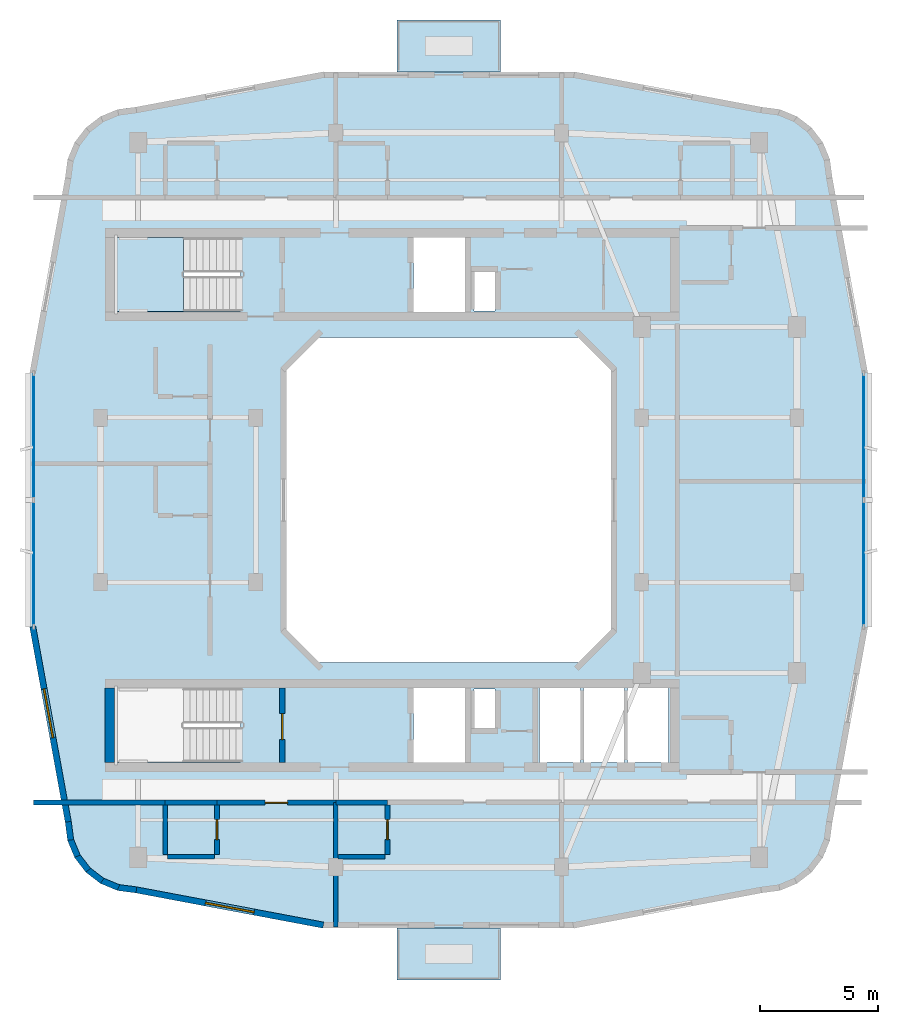
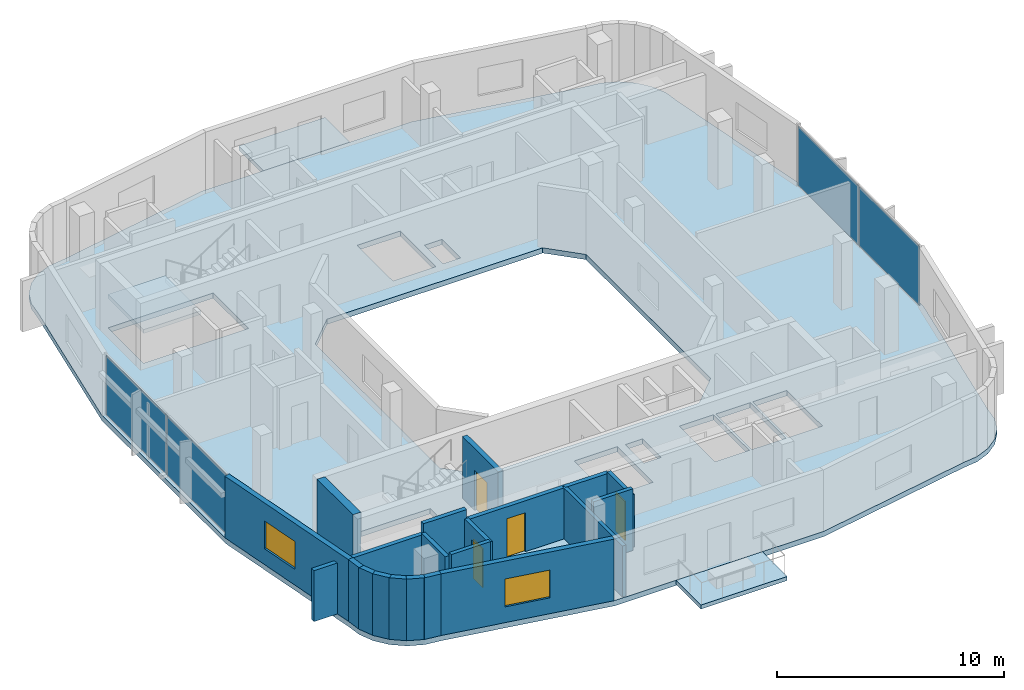
# One storey, part 3 of 10: 20 walls, 4 doors, 4 plates, 4 slabs, 2 windows, 6 openings, 3 elements without a shape of their own.
"""IFC4 building model written with IfcOpenShell, lengths in metres."""

from ifc_helpers import new_model, si_unit, derived_unit, direction, frame, frame_2d, origin, origin_2d, place, context, subcontext, project, spatial, polyline, rectangle, outline, extrude, material, layer, layer_set, type_object, element, fill, aggregate, save


model = new_model("IFC4")

# Units and contexts
model_context = context("Model", 3, precision=1e-05, world=origin(), true_north=direction((0.0, 1.0)))
body_context = subcontext(model_context, "Body", "Model", "MODEL_VIEW")
ifc_project = project(units=[si_unit("LENGTHUNIT", "METRE"), si_unit("AREAUNIT", "SQUARE_METRE"), si_unit("VOLUMEUNIT", "CUBIC_METRE"), si_unit("PLANEANGLEUNIT", "RADIAN"), si_unit("MASSUNIT", "GRAM", prefix="KILO"), derived_unit("THERMALTRANSMITTANCEUNIT", [(si_unit("POWERUNIT", "WATT"), 1), (si_unit("LENGTHUNIT", "METRE"), -2), (si_unit("THERMODYNAMICTEMPERATUREUNIT", "KELVIN"), -1)])], contexts=[model_context])

# Site, building, storey
site_placement = place(None, origin())
site = spatial("IfcSite", under=ifc_project, at=site_placement, CompositionType="ELEMENT")
building_placement = place(site_placement, origin())
building = spatial("IfcBuilding", under=site, at=building_placement, Name="Kivonza Crest Hotel", CompositionType="ELEMENT")
storey_placement = place(building_placement, frame((0.0, 0.0, 254.0)))
storey = spatial("IfcBuildingStorey", under=building, at=storey_placement, Name="L69", CompositionType="ELEMENT", Elevation=254.0)

# Curtain wall, plates
ifc_material_1 = material(Name="Anodised bronze aluminium and low-E double glazing", Category="aluminium")
ifc_layer_1 = layer(ifc_material_1, 0.179931640625)
ifc_layer_set_1 = layer_set([ifc_layer_1], Name="Anodised bronze aluminium and low-E double glazing")
curtain_wall_type = type_object("IfcCurtainWallType", Name="CW-SYS-3", PredefinedType="NOTDEFINED", material=ifc_layer_set_1)
curtain_wall_1_placement = place(storey_placement, origin())
curtain_wall_1 = element("IfcCurtainWall", 1, at=curtain_wall_1_placement, inside=storey, type_object=curtain_wall_type, Name="L69 unitised curtain wall CW-T1-L69-17", PredefinedType="NOTDEFINED")
ifc_material_2 = material(Name="Acoustic triple-laminated low-E glazing", Category="glass")
ifc_layer_2 = layer(ifc_material_2, 0.035888671875)
ifc_layer_set_2 = layer_set([ifc_layer_2], Name="Acoustic triple-laminated low-E glazing")
plate_type = type_object("IfcPlateType", Name="CW-PNL-36", PredefinedType="CURTAIN_PANEL", material=ifc_layer_set_2)
plate_1_placement = place(storey_placement, frame((38.639892578125, 22.308837890625, 0.074951171875), z_axis=(0.0, 0.0, 1.0), x_axis=(0.0, 1.0, 0.0)))
plate_1 = element("IfcPlate", 2, at=plate_1_placement, type_object=plate_type, Name="CW-3 panel 1.1", PredefinedType="CURTAIN_PANEL", context=body_context, shape_type="SweptSolid", body=[
    extrude(rectangle(XDim=5.3076171875, YDim=0.035888671875, at=origin_2d()), origin(), (0.0, 0.0, 1.0), 3.169921875),
])
plate_2_placement = place(storey_placement, frame((38.639892578125, 27.691162109375, 0.074951171875), z_axis=(0.0, 0.0, 1.0), x_axis=(0.0, 1.0, 0.0)))
plate_2 = element("IfcPlate", 3, at=plate_2_placement, type_object=plate_type, Name="CW-3 panel 2.1", PredefinedType="CURTAIN_PANEL", context=body_context, shape_type="SweptSolid", body=[
    extrude(rectangle(XDim=5.3076171875, YDim=0.035888671875, at=origin_2d()), origin(), (0.0, 0.0, 1.0), 3.169921875),
])
aggregate(curtain_wall_1, [plate_1, plate_2])

curtain_wall_2_placement = place(storey_placement, origin())
curtain_wall_2 = element("IfcCurtainWall", 4, at=curtain_wall_2_placement, inside=storey, type_object=curtain_wall_type, Name="L69 unitised curtain wall CW-T1-L69-35", PredefinedType="NOTDEFINED")
plate_3_placement = place(storey_placement, frame((3.360107421875, 27.691162109375, 0.074951171875), z_axis=(0.0, 0.0, 1.0), x_axis=(0.0, -1.0, 0.0)))
plate_3 = element("IfcPlate", 5, at=plate_3_placement, type_object=plate_type, Name="CW-3 panel 1.1", PredefinedType="CURTAIN_PANEL", context=body_context, shape_type="SweptSolid", body=[
    extrude(rectangle(XDim=5.3076171875, YDim=0.035888671875, at=origin_2d()), origin(), (0.0, 0.0, 1.0), 3.169921875),
])
plate_4_placement = place(storey_placement, frame((3.360107421875, 22.308837890625, 0.074951171875), z_axis=(0.0, 0.0, 1.0), x_axis=(0.0, -1.0, 0.0)))
plate_4 = element("IfcPlate", 6, at=plate_4_placement, type_object=plate_type, Name="CW-3 panel 2.1", PredefinedType="CURTAIN_PANEL", context=body_context, shape_type="SweptSolid", body=[
    extrude(rectangle(XDim=5.3076171875, YDim=0.035888671875, at=origin_2d()), origin(), (0.0, 0.0, 1.0), 3.169921875),
])
aggregate(curtain_wall_2, [plate_3, plate_4])

# Slab
ifc_material_3 = material(Name="Concrete C40/50", Category="concrete")
ifc_layer_3 = layer(ifc_material_3, 0.280029296875)
ifc_layer_set_3 = layer_set([ifc_layer_3], Name="Concrete C40/50")
slab_type_1 = type_object("IfcSlabType", Name="SL-HTL-280", PredefinedType="FLOOR", material=ifc_layer_set_3)
slab_1_placement = place(storey_placement, frame((0.0, 0.0, -0.280029296875)))
element("IfcSlab", 7, at=slab_1_placement, inside=storey, type_object=slab_type_1, Name="Tower T1 L69 floor slab", PredefinedType="FLOOR", context=body_context, shape_type="SweptSolid", body=[
    extrude(outline(polyline([(4.699951171875, 11.300048828125), (4.802001953125, 10.52392578125), (5.10205078125, 9.800048828125), (5.5791015625, 9.178955078125), (6.199951171875, 8.701904296875), (6.924072265625, 8.402099609375), (7.699951171875, 8.300048828125), (15.659912109375, 6.800048828125), (26.340087890625, 6.800048828125), (34.300048828125, 8.300048828125), (35.075927734375, 8.402099609375), (35.800048828125, 8.701904296875), (36.4208984375, 9.178955078125), (36.89794921875, 9.800048828125), (37.197998046875, 10.52392578125), (37.300048828125, 11.300048828125), (38.800048828125, 19.5400390625), (38.800048828125, 30.4599609375), (37.300048828125, 38.699951171875), (37.197998046875, 39.47607421875), (36.89794921875, 40.199951171875), (36.4208984375, 40.821044921875), (35.800048828125, 41.298095703125), (35.075927734375, 41.597900390625), (34.300048828125, 41.699951171875), (26.340087890625, 43.199951171875), (15.659912109375, 43.199951171875), (7.699951171875, 41.699951171875), (6.924072265625, 41.597900390625), (6.199951171875, 41.298095703125), (5.5791015625, 40.821044921875), (5.10205078125, 40.199951171875), (4.802001953125, 39.47607421875), (4.699951171875, 38.699951171875), (3.199951171875, 30.4599609375), (3.199951171875, 19.5400390625), (4.699951171875, 11.300048828125)]), holes=[polyline([(15.5, 18.10009765625), (26.5, 18.10009765625), (27.89990234375, 19.5), (27.89990234375, 30.5), (26.5, 31.89990234375), (15.5, 31.89990234375), (14.10009765625, 30.5), (14.10009765625, 19.5), (15.5, 18.10009765625)]), polyline([(6.800048828125, 33.02001953125), (12.159912109375, 33.02001953125), (12.159912109375, 36.159912109375), (6.800048828125, 36.159912109375), (6.800048828125, 33.02001953125)]), polyline([(6.800048828125, 13.860107421875), (12.159912109375, 13.860107421875), (12.159912109375, 17.0), (6.800048828125, 17.0), (6.800048828125, 13.860107421875)]), polyline([(22.080078125, 33.0400390625), (22.969970703125, 33.0400390625), (22.969970703125, 34.679931640625), (22.080078125, 34.679931640625), (22.080078125, 33.0400390625)]), polyline([(22.080078125, 15.320068359375), (22.969970703125, 15.320068359375), (22.969970703125, 16.9599609375), (22.080078125, 16.9599609375), (22.080078125, 15.320068359375)]), polyline([(19.5, 33.0), (21.699951171875, 33.0), (21.699951171875, 36.159912109375), (19.5, 36.159912109375), (19.5, 33.0)]), polyline([(19.5, 13.840087890625), (21.699951171875, 13.840087890625), (21.699951171875, 17.0), (19.5, 17.0), (19.5, 13.840087890625)]), polyline([(24.860107421875, 13.840087890625), (26.60693359375, 13.840087890625), (26.60693359375, 17.0), (24.860107421875, 17.0), (24.860107421875, 13.840087890625)]), polyline([(26.72705078125, 13.840087890625), (28.472900390625, 13.840087890625), (28.472900390625, 17.0), (26.72705078125, 17.0), (26.72705078125, 13.840087890625)]), polyline([(28.593017578125, 13.840087890625), (30.340087890625, 13.840087890625), (30.340087890625, 17.0), (28.593017578125, 17.0), (28.593017578125, 13.840087890625)])]), origin(), (0.0, 0.0, 1.0), 0.280029296875),
])

# Stair, slab
stair_type = type_object("IfcStairType", Name="ST-DL-20R", PredefinedType="HALF_TURN_STAIR", material=ifc_material_3)
stair_placement = place(storey_placement, origin())
stair = element("IfcStair", 8, at=stair_placement, inside=storey, type_object=stair_type, Name="L69 Protected Exit Stair ST-T1-N", PredefinedType="HALF_TURN_STAIR")
ifc_layer_4 = layer(ifc_material_3, 0.199951171875)
ifc_layer_set_4 = layer_set([ifc_layer_4], Name="Concrete C40/50")
slab_type_2 = type_object("IfcSlabType", Name="SL-LAND-200", PredefinedType="LANDING", material=ifc_layer_set_4)
slab_2_placement = place(storey_placement, frame((0.0, 0.0, 1.60009765625)))
slab_2 = element("IfcSlab", 9, at=slab_2_placement, type_object=slab_type_2, Name="ST-T1-N landing 1", PredefinedType="LANDING", context=body_context, shape_type="SweptSolid", body=[
    extrude(outline(polyline([(9.719970703125, 36.159912109375), (6.800048828125, 36.159912109375), (6.800048828125, 33.02001953125), (9.719970703125, 33.02001953125), (9.719970703125, 36.159912109375)])), origin(), (0.0, 0.0, 1.0), 0.199951171875),
])
aggregate(stair, [slab_2])

# Slabs
ifc_layer_5 = layer(ifc_material_3, 0.219970703125)
ifc_layer_set_5 = layer_set([ifc_layer_5], Name="Concrete C40/50")
slab_type_3 = type_object("IfcSlabType", Name="SL-SKYG-220", PredefinedType="FLOOR", material=ifc_layer_set_5)
slab_3_placement = place(storey_placement, frame((0.0, 0.0, -0.219970703125)))
element("IfcSlab", 10, at=slab_3_placement, inside=storey, type_object=slab_type_3, Name="Tower T1 L69 SW planted sky-garden bridge", PredefinedType="FLOOR", context=body_context, shape_type="SweptSolid", body=[
    extrude(outline(polyline([(18.800048828125, 4.60009765625), (23.199951171875, 4.60009765625), (23.199951171875, 6.800048828125), (18.800048828125, 6.800048828125), (18.800048828125, 4.60009765625)])), origin(), (0.0, 0.0, 1.0), 0.219970703125),
])
slab_4_placement = place(storey_placement, frame((0.0, 0.0, -0.219970703125)))
element("IfcSlab", 11, at=slab_4_placement, inside=storey, type_object=slab_type_3, Name="Tower T1 L69 NE planted sky-garden bridge", PredefinedType="FLOOR", context=body_context, shape_type="SweptSolid", body=[
    extrude(outline(polyline([(18.800048828125, 43.199951171875), (23.199951171875, 43.199951171875), (23.199951171875, 45.39990234375), (18.800048828125, 45.39990234375), (18.800048828125, 43.199951171875)])), origin(), (0.0, 0.0, 1.0), 0.219970703125),
])

# Walls
ifc_material_4 = material(Name="High-density acoustic masonry inter-tenancy wall", Category="masonry")
ifc_layer_6 = layer(ifc_material_4, 0.179931640625)
ifc_layer_set_6 = layer_set([ifc_layer_6], Name="High-density acoustic masonry inter-tenancy wall")
wall_type_1 = type_object("IfcWallType", Name="WL-ACOU-180", PredefinedType="SOLIDWALL", material=ifc_layer_set_6)
wall_1_placement = place(storey_placement, frame((16.199951171875, 6.860107421875, 0.0), z_axis=(0.0, 0.0, 1.0), x_axis=(0.0, 1.0, 0.0)))
element("IfcWall", 12, at=wall_1_placement, inside=storey, type_object=wall_type_1, Name="L69 interior partition WA-L69-T1S-DIV1", PredefinedType="SOLIDWALL", context=body_context, shape_type="SweptSolid", body=[
    extrude(rectangle(XDim=5.27978515625, YDim=0.179931640625, at=frame_2d((2.639892578125, 0.0))), origin(), (0.0, 0.0, 1.0), 2.7451171875),
])
ifc_material_5 = material(Name="Autoclaved aerated concrete blockwork", Category="masonry")
ifc_layer_7 = layer(ifc_material_5, 0.219970703125)
ifc_layer_set_7 = layer_set([ifc_layer_7], Name="Autoclaved aerated concrete blockwork")
wall_type_2 = type_object("IfcWallType", Name="WL-ACOU-220", PredefinedType="SOLIDWALL", material=ifc_layer_set_7)
wall_2_placement = place(storey_placement, frame((3.360107421875, 12.139892578125, 0.0), z_axis=(0.0, 0.0, 1.0), x_axis=(1.0, 0.0, 0.0)))
element("IfcWall", 13, at=wall_2_placement, inside=storey, type_object=wall_type_2, Name="L69 interior partition WA-L69-S04-XCORR", PredefinedType="SOLIDWALL", context=body_context, shape_type="SweptSolid", body=[
    extrude(rectangle(XDim=5.58984375, YDim=0.219970703125, at=frame_2d((2.794921875, 0.0))), origin(), (0.0, 0.0, 1.0), 2.7451171875),
])
wall_3_placement = place(storey_placement, frame((8.949951171875, 12.139892578125, 0.0), z_axis=(0.0, 0.0, 1.0), x_axis=(1.0, 0.0, 0.0)))
element("IfcWall", 14, at=wall_3_placement, inside=storey, type_object=wall_type_2, Name="L69 interior partition WA-L69-S04-BCORR", PredefinedType="SOLIDWALL", context=body_context, shape_type="SweptSolid", body=[
    extrude(rectangle(XDim=2.199951171875, YDim=0.219970703125, at=frame_2d((1.10009765625, 0.0))), origin(), (0.0, 0.0, 1.0), 3.320068359375),
])

# Wall, opening, door
wall_4_placement = place(storey_placement, frame((11.14990234375, 12.139892578125, 0.0), z_axis=(0.0, 0.0, 1.0), x_axis=(1.0, 0.0, 0.0)))
wall_4 = element("IfcWall", 15, at=wall_4_placement, inside=storey, type_object=wall_type_2, Name="L69 interior partition WA-L69-S04-MCORR", PredefinedType="SOLIDWALL", context=body_context, shape_type="SweptSolid", body=[
    extrude(rectangle(XDim=5.050048828125, YDim=0.219970703125, at=frame_2d((2.52490234375, 0.0))), origin(), (0.0, 0.0, 1.0), 2.7451171875),
])
opening_1_placement = place(wall_4_placement, frame((2.050048828125, 0.0, 0.0)))
opening_1 = element("IfcOpeningElement", 16, at=opening_1_placement, cuts=wall_4, Name="Opening DU-60", PredefinedType="OPENING", context=body_context, shape_type="SweptSolid", body=[
    extrude(rectangle(XDim=0.949951171875, YDim=2.10009765625, at=frame_2d((0.47509765625, 1.050048828125))), frame((0.0, 0.1201171875, 0.0), z_axis=(0.0, -1.0, 0.0), x_axis=(1.0, 0.0, 0.0)), (0.0, 0.0, 1.0), 0.239990234375),
])
ifc_material_6 = material(Name="Hardwood timber oak", Category="wood")
door_type_1 = type_object("IfcDoorType", Name="DR-UNIT-950", OperationType="NOTDEFINED", PredefinedType="DOOR", material=ifc_material_6)
door_1_placement = place(opening_1_placement, frame((0.949951171875, 0.0, 0.0), z_axis=(0.0, 0.0, 1.0), x_axis=(-1.0, 0.0, 0.0)))
door_1 = element("IfcDoor", 17, at=door_1_placement, inside=storey, type_object=door_type_1, Name="L69 S04 guest unit entrance fire door", OperationType="SINGLE_SWING_RIGHT", OverallHeight=2.10009765625, OverallWidth=0.949951171875, PredefinedType="DOOR", context=body_context, shape_type="SweptSolid", body=[
    extrude(rectangle(XDim=0.949951171875, YDim=2.10009765625, at=frame_2d((0.47509765625, 1.050048828125))), frame((0.0, 0.02490234375, 0.0), z_axis=(0.0, -1.0, 0.0), x_axis=(1.0, 0.0, 0.0)), (0.0, 0.0, 1.0), 0.050048828125),
])
fill(opening_1, door_1)

# Walls
wall_5_placement = place(storey_placement, frame((16.199951171875, 12.139892578125, 0.0), z_axis=(0.0, 0.0, 1.0), x_axis=(1.0, 0.0, 0.0)))
element("IfcWall", 18, at=wall_5_placement, inside=storey, type_object=wall_type_2, Name="L69 interior partition WA-L69-S05-BCORR", PredefinedType="SOLIDWALL", context=body_context, shape_type="SweptSolid", body=[
    extrude(rectangle(XDim=2.199951171875, YDim=0.219970703125, at=frame_2d((1.10009765625, 0.0))), origin(), (0.0, 0.0, 1.0), 2.7451171875),
])
ifc_material_7 = material(Name="Concrete C50/60", Category="concrete")
ifc_layer_8 = layer(ifc_material_7, 0.39990234375)
ifc_layer_set_8 = layer_set([ifc_layer_8], Name="Concrete C50/60")
wall_type_3 = type_object("IfcWallType", Name="WL-CORE-400", PredefinedType="SHEAR", material=ifc_layer_set_8)
wall_6_placement = place(storey_placement, frame((6.60009765625, 13.840087890625, 0.0), z_axis=(0.0, 0.0, 1.0), x_axis=(0.0, 1.0, 0.0)))
element("IfcWall", 19, at=wall_6_placement, inside=storey, type_object=wall_type_3, Name="Core wall T1-S West L69", PredefinedType="SHEAR", context=body_context, shape_type="SweptSolid", body=[
    extrude(rectangle(XDim=3.159912109375, YDim=0.39990234375, at=frame_2d((1.580078125, 0.0))), origin(), (0.0, 0.0, 1.0), 3.60009765625),
])
ifc_material_8 = material(Name="Precast concrete C40/50", Category="concrete")
ifc_layer_9 = layer(ifc_material_8, 0.260009765625)
ifc_layer_set_9 = layer_set([ifc_layer_9], Name="Precast concrete C40/50")
wall_type_4 = type_object("IfcWallType", Name="WL-EXT-260", PredefinedType="STANDARD", material=ifc_layer_set_9)
wall_7_placement = place(storey_placement, frame((4.827880859375, 11.324951171875, 0.0), z_axis=(0.0, 0.0, 1.0), x_axis=(0.130729574419, -0.991418064377, 0.0)))
element("IfcWall", 20, at=wall_7_placement, inside=storey, type_object=wall_type_4, Name="L69 T1 exterior insulated wall 1", PredefinedType="STANDARD", context=body_context, shape_type="SweptSolid", body=[
    extrude(rectangle(XDim=0.780517578125, YDim=0.260009765625, at=frame_2d((0.39013671875, 0.0))), origin(), (0.0, 0.0, 1.0), 3.320068359375),
])
wall_8_placement = place(storey_placement, frame((4.912109375, 10.596923828125, 0.0), z_axis=(0.0, 0.0, 1.0), x_axis=(0.382900540965, -0.923789573295, 0.0)))
element("IfcWall", 21, at=wall_8_placement, inside=storey, type_object=wall_type_4, Name="L69 T1 exterior insulated wall 2", PredefinedType="STANDARD", context=body_context, shape_type="SweptSolid", body=[
    extrude(rectangle(XDim=0.798828125, YDim=0.260009765625, at=frame_2d((0.3994140625, 0.0))), origin(), (0.0, 0.0, 1.0), 3.320068359375),
])
wall_9_placement = place(storey_placement, frame((5.18994140625, 9.89892578125, 0.0), z_axis=(0.0, 0.0, 1.0), x_axis=(0.60916352983, -0.793044635519, 0.0)))
element("IfcWall", 22, at=wall_9_placement, inside=storey, type_object=wall_type_4, Name="L69 T1 exterior insulated wall 3", PredefinedType="STANDARD", context=body_context, shape_type="SweptSolid", body=[
    extrude(rectangle(XDim=0.7978515625, YDim=0.260009765625, at=frame_2d((0.39892578125, 0.0))), origin(), (0.0, 0.0, 1.0), 3.320068359375),
])
wall_10_placement = place(storey_placement, frame((5.637939453125, 9.297119140625, 0.0), z_axis=(0.0, 0.0, 1.0), x_axis=(0.793158129381, -0.609015748398, 0.0)))
element("IfcWall", 23, at=wall_10_placement, inside=storey, type_object=wall_type_4, Name="L69 T1 exterior insulated wall 4", PredefinedType="STANDARD", context=body_context, shape_type="SweptSolid", body=[
    extrude(rectangle(XDim=0.798095703125, YDim=0.260009765625, at=frame_2d((0.39892578125, 0.0))), origin(), (0.0, 0.0, 1.0), 3.320068359375),
])
wall_11_placement = place(storey_placement, frame((6.22705078125, 8.83203125, 0.0), z_axis=(0.0, 0.0, 1.0), x_axis=(0.923681457047, -0.383161279238, 0.0)))
element("IfcWall", 24, at=wall_11_placement, inside=storey, type_object=wall_type_4, Name="L69 T1 exterior insulated wall 5", PredefinedType="STANDARD", context=body_context, shape_type="SweptSolid", body=[
    extrude(rectangle(XDim=0.799072265625, YDim=0.260009765625, at=frame_2d((0.3994140625, 0.0))), origin(), (0.0, 0.0, 1.0), 3.320068359375),
])
wall_12_placement = place(storey_placement, frame((6.916015625, 8.533935546875, 0.0), z_axis=(0.0, 0.0, 1.0), x_axis=(0.99153354416, -0.129850802102, 0.0)))
element("IfcWall", 25, at=wall_12_placement, inside=storey, type_object=wall_type_4, Name="L69 T1 exterior insulated wall 6", PredefinedType="STANDARD", context=body_context, shape_type="SweptSolid", body=[
    extrude(rectangle(XDim=0.81591796875, YDim=0.260009765625, at=frame_2d((0.407958984375, 0.0))), origin(), (0.0, 0.0, 1.0), 3.320068359375),
])

# Wall, opening, window
wall_13_placement = place(storey_placement, frame((7.716064453125, 8.428955078125, 0.0), z_axis=(0.0, 0.0, 1.0), x_axis=(0.982717573718, -0.185111237656, 0.0)))
wall_13 = element("IfcWall", 26, at=wall_13_placement, inside=storey, type_object=wall_type_4, Name="L69 T1 exterior insulated wall 7", PredefinedType="STANDARD", context=body_context, shape_type="SweptSolid", body=[
    extrude(rectangle(XDim=8.097900390625, YDim=0.260009765625, at=frame_2d((4.048828125, 0.0))), origin(), (0.0, 0.0, 1.0), 3.320068359375),
])
opening_2_placement = place(wall_13_placement, frame((2.9990234375, 0.0, 0.85009765625)))
opening_2 = element("IfcOpeningElement", 27, at=opening_2_placement, cuts=wall_13, Name="Opening WN-04", PredefinedType="OPENING", context=body_context, shape_type="SweptSolid", body=[
    extrude(rectangle(XDim=2.10009765625, YDim=1.5, at=frame_2d((1.050048828125, 0.75))), frame((0.0, 0.14013671875, 0.0), z_axis=(0.0, -1.0, 0.0), x_axis=(1.0, 0.0, 0.0)), (0.0, 0.0, 1.0), 0.280029296875),
])
ifc_material_9 = material(Name="Thermally broken bronze aluminium and low-E double glazing", Category="aluminium")
window_type = type_object("IfcWindowType", Name="WN-210x150", PartitioningType="DOUBLE_PANEL_VERTICAL", PredefinedType="WINDOW", material=ifc_material_9)
window_1_placement = place(opening_2_placement, origin())
window_1 = element("IfcWindow", 28, at=window_1_placement, inside=storey, type_object=window_type, Name="L69 T1 facade window 7", OverallHeight=1.5, OverallWidth=2.10009765625, PartitioningType="SINGLE_PANEL", PredefinedType="WINDOW", context=body_context, shape_type="SweptSolid", body=[
    extrude(rectangle(XDim=2.10009765625, YDim=1.5, at=frame_2d((1.050048828125, 0.75))), frame((0.0, 0.030029296875, 0.0), z_axis=(0.0, -1.0, 0.0), x_axis=(1.0, 0.0, 0.0)), (0.0, 0.0, 1.0), 0.06005859375),
])
fill(opening_2, window_1)

wall_14_placement = place(storey_placement, frame((3.318115234375, 19.616943359375, 0.0), z_axis=(0.0, 0.0, 1.0), x_axis=(0.179061111398, -0.983837953316, 0.0)))
wall_14 = element("IfcWall", 29, at=wall_14_placement, inside=storey, type_object=wall_type_4, Name="L69 T1 exterior insulated wall 36", PredefinedType="STANDARD", context=body_context, shape_type="SweptSolid", body=[
    extrude(rectangle(XDim=8.4384765625, YDim=0.260009765625, at=frame_2d((4.21923828125, 0.0))), origin(), (0.0, 0.0, 1.0), 3.320068359375),
])
opening_3_placement = place(wall_14_placement, frame((2.69091796875, 0.0, 0.85009765625)))
opening_3 = element("IfcOpeningElement", 30, at=opening_3_placement, cuts=wall_14, Name="Opening WN-04", PredefinedType="OPENING", context=body_context, shape_type="SweptSolid", body=[
    extrude(rectangle(XDim=2.10009765625, YDim=1.5, at=frame_2d((1.050048828125, 0.75))), frame((0.0, 0.14013671875, 0.0), z_axis=(0.0, -1.0, 0.0), x_axis=(1.0, 0.0, 0.0)), (0.0, 0.0, 1.0), 0.280029296875),
])
window_2_placement = place(opening_3_placement, origin())
window_2 = element("IfcWindow", 31, at=window_2_placement, inside=storey, type_object=window_type, Name="L69 T1 facade window 36", OverallHeight=1.5, OverallWidth=2.10009765625, PartitioningType="SINGLE_PANEL", PredefinedType="WINDOW", context=body_context, shape_type="SweptSolid", body=[
    extrude(rectangle(XDim=2.10009765625, YDim=1.5, at=frame_2d((1.050048828125, 0.75))), frame((0.0, 0.030029296875, 0.0), z_axis=(0.0, -1.0, 0.0), x_axis=(1.0, 0.0, 0.0)), (0.0, 0.0, 1.0), 0.06005859375),
])
fill(opening_3, window_2)

# Wall, opening, door
ifc_material_10 = material(Name="Moisture-resistant plumbing chase partition wall", Category="gypsum")
ifc_layer_10 = layer(ifc_material_10, 0.199951171875)
ifc_layer_set_10 = layer_set([ifc_layer_10], Name="Moisture-resistant plumbing chase partition wall")
wall_type_5 = type_object("IfcWallType", Name="WL-PLUMB-200", PredefinedType="PLUMBINGWALL", material=ifc_layer_set_10)
wall_15_placement = place(storey_placement, frame((11.14990234375, 9.93994140625, 0.0), z_axis=(0.0, 0.0, 1.0), x_axis=(0.0, 1.0, 0.0)))
wall_15 = element("IfcWall", 32, at=wall_15_placement, inside=storey, type_object=wall_type_5, Name="L69 interior partition WW-L69-S04-BV", PredefinedType="PLUMBINGWALL", context=body_context, shape_type="SweptSolid", body=[
    extrude(rectangle(XDim=2.10009765625, YDim=0.199951171875, at=frame_2d((1.050048828125, 0.0))), origin(), (0.0, 0.0, 1.0), 2.844970703125),
])
opening_4_placement = place(wall_15_placement, frame((0.625, 0.0, 0.0)))
opening_4 = element("IfcOpeningElement", 33, at=opening_4_placement, cuts=wall_15, Name="Opening DI-85", PredefinedType="OPENING", context=body_context, shape_type="SweptSolid", body=[
    extrude(rectangle(XDim=0.85009765625, YDim=2.10009765625, at=frame_2d((0.425048828125, 1.050048828125))), frame((0.0, 0.10986328125, 0.0), z_axis=(0.0, -1.0, 0.0), x_axis=(1.0, 0.0, 0.0)), (0.0, 0.0, 1.0), 0.219970703125),
])
door_type_2 = type_object("IfcDoorType", Name="DR-INT-850", OperationType="NOTDEFINED", PredefinedType="DOOR", material=ifc_material_6)
door_2_placement = place(opening_4_placement, frame((0.85009765625, 0.0, 0.0), z_axis=(0.0, 0.0, 1.0), x_axis=(-1.0, 0.0, 0.0)))
door_2 = element("IfcDoor", 34, at=door_2_placement, inside=storey, type_object=door_type_2, Name="L69 S04 en-suite bathroom door", OperationType="SINGLE_SWING_LEFT", OverallHeight=2.10009765625, OverallWidth=0.85009765625, PredefinedType="DOOR", context=body_context, shape_type="SweptSolid", body=[
    extrude(rectangle(XDim=0.85009765625, YDim=2.10009765625, at=frame_2d((0.425048828125, 1.050048828125))), frame((0.0, 0.02490234375, 0.0), z_axis=(0.0, -1.0, 0.0), x_axis=(1.0, 0.0, 0.0)), (0.0, 0.0, 1.0), 0.050048828125),
])
fill(opening_4, door_2)

# Walls
wall_16_placement = place(storey_placement, frame((9.050048828125, 9.840087890625, 0.0), z_axis=(0.0, 0.0, 1.0), x_axis=(1.0, 0.0, 0.0)))
element("IfcWall", 35, at=wall_16_placement, inside=storey, type_object=wall_type_5, Name="L69 interior partition WW-L69-S04-BH", PredefinedType="PLUMBINGWALL", context=body_context, shape_type="SweptSolid", body=[
    extrude(rectangle(XDim=2.0, YDim=0.199951171875, at=frame_2d((1.0, 0.0))), origin(), (0.0, 0.0, 1.0), 3.014892578125),
])
wall_17_placement = place(storey_placement, frame((8.949951171875, 9.93994140625, 0.0), z_axis=(0.0, 0.0, 1.0), x_axis=(0.0, 1.0, 0.0)))
element("IfcWall", 36, at=wall_17_placement, inside=storey, type_object=wall_type_5, Name="L69 interior partition WW-L69-S04-BVW", PredefinedType="PLUMBINGWALL", context=body_context, shape_type="SweptSolid", body=[
    extrude(rectangle(XDim=2.10009765625, YDim=0.199951171875, at=frame_2d((1.050048828125, 0.0))), origin(), (0.0, 0.0, 1.0), 2.844970703125),
])

# Wall, opening, door
wall_18_placement = place(storey_placement, frame((18.39990234375, 9.93994140625, 0.0), z_axis=(0.0, 0.0, 1.0), x_axis=(0.0, 1.0, 0.0)))
wall_18 = element("IfcWall", 37, at=wall_18_placement, inside=storey, type_object=wall_type_5, Name="L69 interior partition WW-L69-S05-BV", PredefinedType="PLUMBINGWALL", context=body_context, shape_type="SweptSolid", body=[
    extrude(rectangle(XDim=2.10009765625, YDim=0.199951171875, at=frame_2d((1.050048828125, 0.0))), origin(), (0.0, 0.0, 1.0), 2.844970703125),
])
opening_5_placement = place(wall_18_placement, frame((0.625, 0.0, 0.0)))
opening_5 = element("IfcOpeningElement", 38, at=opening_5_placement, cuts=wall_18, Name="Opening DI-85", PredefinedType="OPENING", context=body_context, shape_type="SweptSolid", body=[
    extrude(rectangle(XDim=0.85009765625, YDim=2.10009765625, at=frame_2d((0.425048828125, 1.050048828125))), frame((0.0, 0.10986328125, 0.0), z_axis=(0.0, -1.0, 0.0), x_axis=(1.0, 0.0, 0.0)), (0.0, 0.0, 1.0), 0.219970703125),
])
door_3_placement = place(opening_5_placement, frame((0.85009765625, 0.0, 0.0), z_axis=(0.0, 0.0, 1.0), x_axis=(-1.0, 0.0, 0.0)))
door_3 = element("IfcDoor", 39, at=door_3_placement, inside=storey, type_object=door_type_2, Name="L69 S05 en-suite bathroom door", OperationType="SINGLE_SWING_RIGHT", OverallHeight=2.10009765625, OverallWidth=0.85009765625, PredefinedType="DOOR", context=body_context, shape_type="SweptSolid", body=[
    extrude(rectangle(XDim=0.85009765625, YDim=2.10009765625, at=frame_2d((0.425048828125, 1.050048828125))), frame((0.0, 0.02490234375, 0.0), z_axis=(0.0, -1.0, 0.0), x_axis=(1.0, 0.0, 0.0)), (0.0, 0.0, 1.0), 0.050048828125),
])
fill(opening_5, door_3)

# Wall
wall_19_placement = place(storey_placement, frame((16.300048828125, 9.840087890625, 0.0), z_axis=(0.0, 0.0, 1.0), x_axis=(1.0, 0.0, 0.0)))
element("IfcWall", 40, at=wall_19_placement, inside=storey, type_object=wall_type_5, Name="L69 interior partition WW-L69-S05-BH", PredefinedType="PLUMBINGWALL", context=body_context, shape_type="SweptSolid", body=[
    extrude(rectangle(XDim=2.0, YDim=0.199951171875, at=frame_2d((1.0, 0.0))), origin(), (0.0, 0.0, 1.0), 3.320068359375),
])

# Wall, opening, door
ifc_layer_11 = layer(ifc_material_7, 0.25)
ifc_layer_set_11 = layer_set([ifc_layer_11], Name="Concrete C50/60")
wall_type_6 = type_object("IfcWallType", Name="WL-SHAFT-250", PredefinedType="STANDARD", material=ifc_layer_set_11)
wall_20_placement = place(storey_placement, frame((13.925048828125, 13.840087890625, 0.0), z_axis=(0.0, 0.0, 1.0), x_axis=(0.0, 1.0, 0.0)))
wall_20 = element("IfcWall", 41, at=wall_20_placement, inside=storey, type_object=wall_type_6, Name="Core shaft wall T1-S STAIR L69", PredefinedType="STANDARD", context=body_context, shape_type="SweptSolid", body=[
    extrude(rectangle(XDim=3.159912109375, YDim=0.25, at=frame_2d((1.580078125, 0.0))), origin(), (0.0, 0.0, 1.0), 3.320068359375),
])
opening_6_placement = place(wall_20_placement, frame((0.97998046875, 0.0, 0.0)))
opening_6 = element("IfcOpeningElement", 42, at=opening_6_placement, cuts=wall_20, Name="Opening DF-120", PredefinedType="OPENING", context=body_context, shape_type="SweptSolid", body=[
    extrude(rectangle(XDim=1.10009765625, YDim=2.14990234375, at=frame_2d((0.550048828125, 1.074951171875))), frame((0.0, 0.135009765625, 0.0), z_axis=(0.0, -1.0, 0.0), x_axis=(1.0, 0.0, 0.0)), (0.0, 0.0, 1.0), 0.27001953125),
])
ifc_material_11 = material(Name="Galvanised steel", Category="steel")
door_type_3 = type_object("IfcDoorType", Name="DR-FD120-1100", OperationType="NOTDEFINED", PredefinedType="DOOR", material=ifc_material_11)
door_4_placement = place(opening_6_placement, frame((1.10009765625, 0.0, 0.0), z_axis=(0.0, 0.0, 1.0), x_axis=(-1.0, 0.0, 0.0)))
door_4 = element("IfcDoor", 43, at=door_4_placement, inside=storey, type_object=door_type_3, Name="L69 T1-S stair fire door", OperationType="SINGLE_SWING_RIGHT", OverallHeight=2.14990234375, OverallWidth=1.10009765625, PredefinedType="DOOR", context=body_context, shape_type="SweptSolid", body=[
    extrude(rectangle(XDim=1.10009765625, YDim=2.14990234375, at=frame_2d((0.550048828125, 1.074951171875))), frame((0.0, 0.02490234375, 0.0), z_axis=(0.0, -1.0, 0.0), x_axis=(1.0, 0.0, 0.0)), (0.0, 0.0, 1.0), 0.050048828125),
])
fill(opening_6, door_4)

save(model, "model.ifc")
